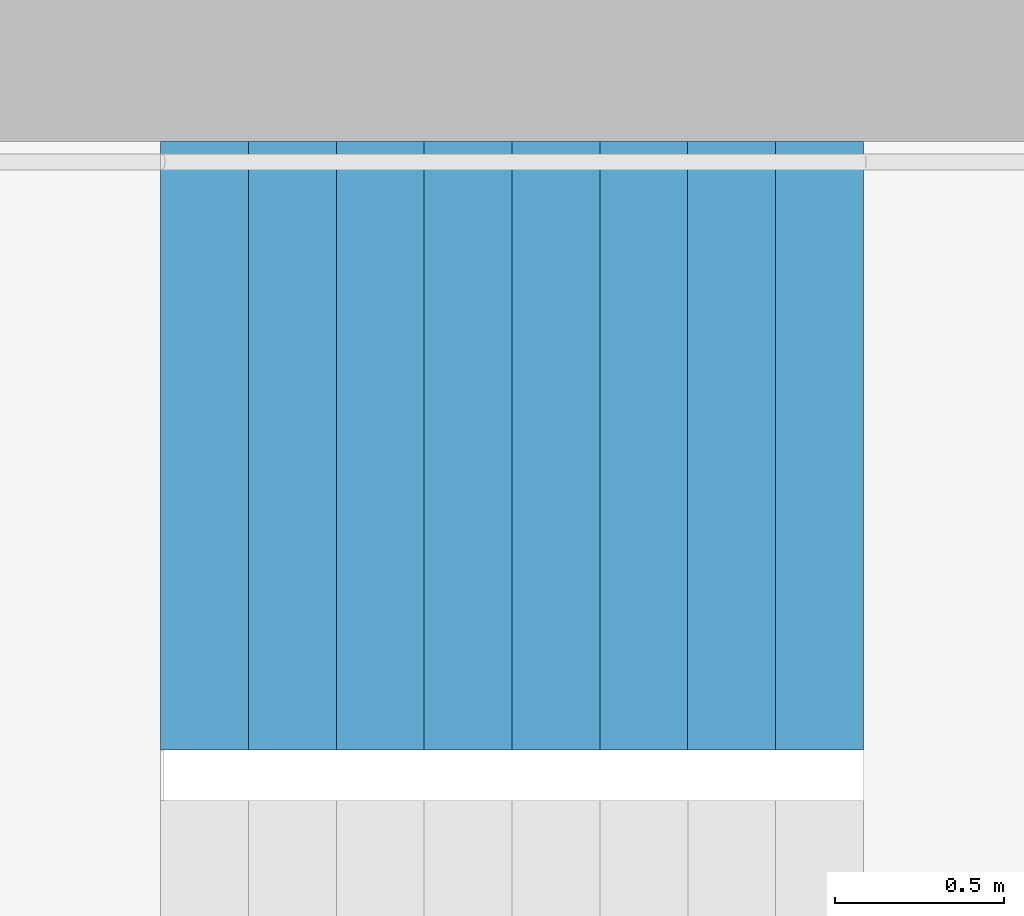
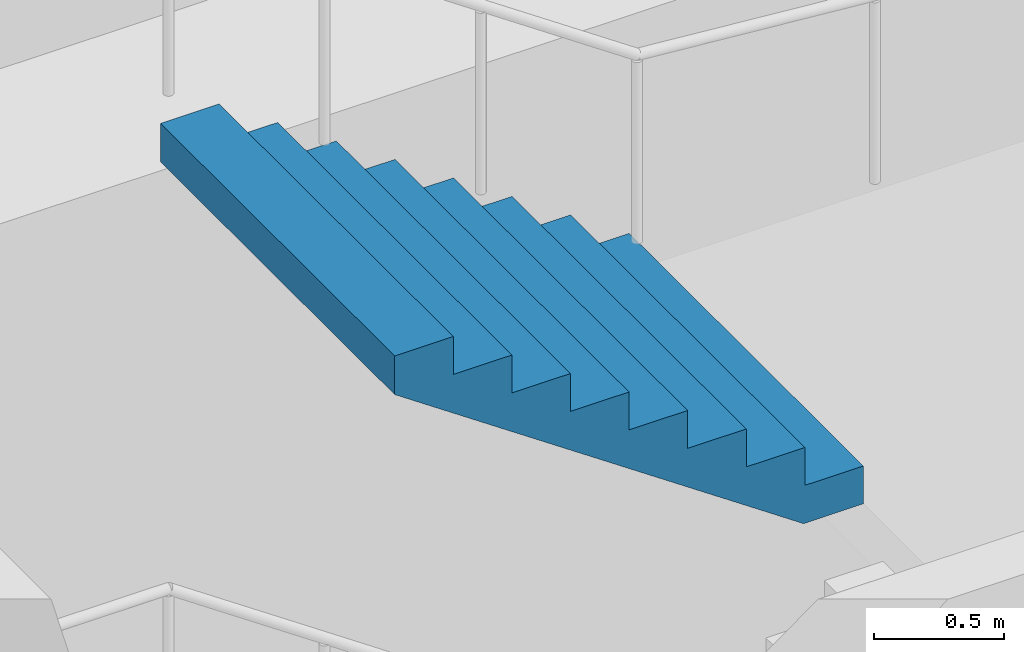
# One storey, part 24 of 44: 1 stair flight, 1 element without a shape of its own.
"""IFC4 building model written with IfcOpenShell, lengths in metres."""

import ifcopenshell
import ifcopenshell.guid

model = None  # the IFC model being written
_history = None  # IfcOwnerHistory: only IFC2X3 demands one
_inside = {}  # id of a spatial element -> (the spatial element, [elements in it])
_under = {}  # id of a project, library or spatial element -> (it, [spatial elements below it])
_declared = {}  # id of a project -> (the project, [libraries it declares])
_typed = {}  # id of a type object -> (the type object, [elements of that type])
_made_of = {}  # id of a material, layer set ... -> (it, [elements and type objects made of it])


def new_model(schema):
    """Start an empty IFC model of exactly this schema.

    Asked for "IFC4X3", IfcOpenShell would pick the latest addendum, in which some entities
    have other attributes; the version numbers below select the first issue.
    IFC2X3 requires an IfcOwnerHistory on every rooted entity: one is made here for all.
    """
    global model, _history
    if schema == "IFC4X3":
        model = ifcopenshell.file(schema_version=(4, 3, 0, 0))
    else:
        model = ifcopenshell.file(schema=schema)
    _inside.clear()
    _under.clear()
    _declared.clear()
    _typed.clear()
    _made_of.clear()
    _history = None
    if model.schema == "IFC2X3":
        org = make("IfcOrganization", Name="unknown")
        user = make(
            "IfcPersonAndOrganization",
            ThePerson=make("IfcPerson", FamilyName="unknown"),
            TheOrganization=org,
        )
        app = make(
            "IfcApplication",
            ApplicationDeveloper=org,
            Version="unknown",
            ApplicationFullName="unknown",
            ApplicationIdentifier="unknown",
        )
        _history = make(
            "IfcOwnerHistory",
            OwningUser=user,
            OwningApplication=app,
            ChangeAction="ADDED",
            CreationDate=0,
        )
    return model


def make(cls, **values):
    """One entity of the class cls with the attributes given. An attribute that is None is left unset."""
    return model.create_entity(
        cls, **{name: value for name, value in values.items() if value is not None}
    )


def rooted(cls, **values):
    """An entity with a GlobalId (a new one), such as an element, a storey or a relation."""
    return make(cls, GlobalId=ifcopenshell.guid.new(), OwnerHistory=_history, **values)


def si_unit(unit_type, name, prefix=None):
    """IfcSIUnit, for example si_unit("LENGTHUNIT", "METRE", prefix="MILLI")."""
    return make("IfcSIUnit", UnitType=unit_type, Prefix=prefix, Name=name)


def assignment(units):
    """IfcUnitAssignment: the units of a project."""
    return None if units is None else make("IfcUnitAssignment", Units=units)


def point(xyz):
    """IfcCartesianPoint."""
    return None if xyz is None else make("IfcCartesianPoint", Coordinates=xyz)


def direction(xyz):
    """IfcDirection."""
    return None if xyz is None else make("IfcDirection", DirectionRatios=xyz)


def frame(location, z_axis=None, x_axis=None):
    """IfcAxis2Placement3D, a coordinate frame: its origin and axes. An axis left out is left unset."""
    return make(
        "IfcAxis2Placement3D",
        Location=point(location),
        Axis=direction(z_axis),
        RefDirection=direction(x_axis),
    )


def origin():
    """The frame at (0, 0, 0) with its axes left unset."""
    return frame((0.0, 0.0, 0.0))


def place(relative_to, where):
    """IfcLocalPlacement: puts the frame where relative to a parent placement (None: the world)."""
    return make(
        "IfcLocalPlacement", PlacementRelTo=relative_to, RelativePlacement=where
    )


def context(
    kind, dimensions, precision=None, world=None, true_north=None, identifier=None
):
    """IfcGeometricRepresentationContext, for example the 3D "Model" context."""
    return make(
        "IfcGeometricRepresentationContext",
        ContextIdentifier=identifier,
        ContextType=kind,
        CoordinateSpaceDimension=dimensions,
        Precision=precision,
        WorldCoordinateSystem=world,
        TrueNorth=true_north,
    )


def subcontext(parent, identifier, kind, view, scale=None):
    """IfcGeometricRepresentationSubContext, for example "Body" below "Model"."""
    return make(
        "IfcGeometricRepresentationSubContext",
        ContextIdentifier=identifier,
        ContextType=kind,
        ParentContext=parent,
        TargetScale=scale,
        TargetView=view,
    )


def project(units=None, contexts=None):
    """IfcProject with its units and contexts."""
    return rooted(
        "IfcProject",
        Name="project",
        RepresentationContexts=contexts,
        UnitsInContext=assignment(units),
    )


def spatial(cls, under=None, at=None, **own):
    """A site, building, storey or space (cls), placed at a placement, below another one or the project."""
    s = rooted(cls, ObjectPlacement=at, **own)
    if under is not None:
        _under.setdefault(under.id(), (under, []))[1].append(s)
    return s


def point_list(points):
    """IfcCartesianPointList2D or 3D."""
    cls = (
        "IfcCartesianPointList2D" if len(points[0]) == 2 else "IfcCartesianPointList3D"
    )
    return make(cls, CoordList=points)


def triangles(points, corners, closed=None, point_numbers=None):
    """IfcTriangulatedFaceSet: each triangle names its three corners, points numbered from 1."""
    return make(
        "IfcTriangulatedFaceSet",
        Coordinates=point_list(points),
        Closed=closed,
        CoordIndex=corners,
        PnIndex=point_numbers,
    )


def shape(context_of_items, identifier, shape_type, items):
    """IfcShapeRepresentation: the items that make up one representation, for example the "Body"."""
    return make(
        "IfcShapeRepresentation",
        ContextOfItems=context_of_items,
        RepresentationIdentifier=identifier,
        RepresentationType=shape_type,
        Items=items,
    )


def material(Name=None, Category=None):
    """IfcMaterial."""
    return make("IfcMaterial", Name=Name, Category=Category)


def made_of(thing, what):
    """Note that an element or type object is made of a material, layer set ...; save() writes the relation."""
    if what is not None:
        _made_of.setdefault(what.id(), (what, []))[1].append(thing)
    return thing


def type_object(cls, material=None, **own):
    """A type object (cls), such as IfcWallType, which elements share."""
    return made_of(rooted(cls, **own), material)


def element(
    cls,
    number,
    at=None,
    inside=None,
    cuts=None,
    type_object=None,
    material=None,
    context=None,
    identifier="Body",
    shape_type=None,
    held_by="IfcProductDefinitionShape",
    body=None,
    shapes=None,
    **own,
):
    """One element of the class cls, such as IfcWall. Its Tag is "e" and its number.

    at: its placement. inside: the storey or other place that contains it. cuts: it is an
    opening in that element (IfcRelVoidsElement). A single representation is given by context,
    identifier, shape_type and body (its items); several are given by shapes. held_by: the class
    of the entity that holds the representations. save() writes the other relations.
    """
    e = rooted(cls, Tag="e%d" % number, ObjectPlacement=at, **own)
    if body is not None:
        shapes = [shape(context, identifier, shape_type, body)]
    if shapes is not None:
        e.Representation = make(held_by, Representations=shapes)
    if inside is not None:
        _inside.setdefault(inside.id(), (inside, []))[1].append(e)
    if cuts is not None:
        rooted(
            "IfcRelVoidsElement", RelatingBuildingElement=cuts, RelatedOpeningElement=e
        )
    if type_object is not None:
        _typed.setdefault(type_object.id(), (type_object, []))[1].append(e)
    return made_of(e, material)


def aggregate(whole, parts):
    """IfcRelAggregates: a whole, such as a stair, and the parts it consists of."""
    return rooted("IfcRelAggregates", RelatingObject=whole, RelatedObjects=parts)


def save(model, path):
    """Write the relations noted so far, then the file.

    IfcRelAggregates (storeys below a building ...), IfcRelContainedInSpatialStructure (elements
    in a storey), IfcRelDefinesByType, IfcRelAssociatesMaterial and IfcRelDeclares: one each for
    every whole, place, type object, material and project.
    """
    for whole, parts in _under.values():
        aggregate(whole, parts)
    for where, things in _inside.values():
        rooted(
            "IfcRelContainedInSpatialStructure",
            RelatedElements=things,
            RelatingStructure=where,
        )
    for kind, things in _typed.values():
        rooted("IfcRelDefinesByType", RelatedObjects=things, RelatingType=kind)
    for what, things in _made_of.values():
        rooted("IfcRelAssociatesMaterial", RelatedObjects=things, RelatingMaterial=what)
    for by, libraries in _declared.values():
        rooted("IfcRelDeclares", RelatingContext=by, RelatedDefinitions=libraries)
    model.write(path)


model = new_model("IFC4")

# Units and contexts
model_context = context("Model", 3, precision=1e-05, world=origin(), true_north=direction((0.0, 1.0)))
body_context = subcontext(model_context, "Body", "Model", "MODEL_VIEW")
ifc_project = project(units=[si_unit("LENGTHUNIT", "METRE"), si_unit("AREAUNIT", "SQUARE_METRE"), si_unit("VOLUMEUNIT", "CUBIC_METRE"), si_unit("PLANEANGLEUNIT", "RADIAN"), si_unit("MASSUNIT", "GRAM", prefix="KILO")], contexts=[model_context])

# Site, building, storey
site_placement = place(None, origin())
site = spatial("IfcSite", under=ifc_project, at=site_placement, CompositionType="ELEMENT")
building_placement = place(site_placement, origin())
building = spatial("IfcBuilding", under=site, at=building_placement, Name="Hakoniwa Tower and Hamabe Station Hall", CompositionType="ELEMENT")
storey_placement = place(building_placement, frame((0.0, 0.0, 69.0)))
storey = spatial("IfcBuildingStorey", under=building, at=storey_placement, Name="L19", CompositionType="ELEMENT", Elevation=69.0)

# Stair, stair flight
ifc_material_1 = material(Name="Concrete C40", Category="concrete")
stair_type = type_object("IfcStairType", Name="ESCAPE STAIR 1800", PredefinedType="HALF_TURN_STAIR", material=ifc_material_1)
stair_placement = place(storey_placement, origin())
stair = element("IfcStair", 1, at=stair_placement, inside=storey, type_object=stair_type, Name="Escape stair ST-1 L19", PredefinedType="HALF_TURN_STAIR")
ifc_material_2 = material(Name="Concrete C40", Category="concrete")
stair_flight_type = type_object("IfcStairFlightType", Name="STAIR FLIGHT 1800", PredefinedType="STRAIGHT", material=ifc_material_2)
stair_flight_placement = place(storey_placement, frame((-22.320068359375, 6.60009765625, 4.800048828125), z_axis=(0.0, 0.0, 1.0), x_axis=(-1.0, 0.0, 0.0)))
stair_flight = element("IfcStairFlight", 2, at=stair_flight_placement, type_object=stair_flight_type, Name="ST-1 flight 4", NumberOfRisers=9, NumberOfTreads=8, PredefinedType="STRAIGHT", RiserHeight=0.177777778, TreadLength=0.26, context=body_context, shape_type="Tessellation", body=[
    triangles([(0.0, 0.89990234375, 0.0), (0.260009765625, 0.89990234375, 0.0), (0.265625, 0.89990234375, 0.0), (0.52001953125, 0.89990234375, 0.174072265625), (0.780029296875, 0.89990234375, 0.351806640625), (1.0400390625, 0.89990234375, 0.529541015625), (1.300048828125, 0.89990234375, 0.707275390625), (1.56005859375, 0.89990234375, 0.885009765625), (1.820068359375, 0.89990234375, 1.062744140625), (2.080078125, 0.89990234375, 1.24072265625), (2.080078125, 0.89990234375, 1.422119140625), (1.820068359375, 0.89990234375, 1.422119140625), (1.820068359375, 0.89990234375, 1.244384765625), (1.56005859375, 0.89990234375, 1.244384765625), (1.56005859375, 0.89990234375, 1.066650390625), (1.300048828125, 0.89990234375, 1.066650390625), (1.300048828125, 0.89990234375, 0.888916015625), (1.0400390625, 0.89990234375, 0.888916015625), (1.0400390625, 0.89990234375, 0.711181640625), (0.780029296875, 0.89990234375, 0.711181640625), (0.780029296875, 0.89990234375, 0.533447265625), (0.52001953125, 0.89990234375, 0.533447265625), (0.52001953125, 0.89990234375, 0.35546875), (0.265625, 0.89990234375, 0.35546875), (0.260009765625, 0.89990234375, 0.35546875), (0.260009765625, 0.89990234375, 0.177734375), (0.0, 0.89990234375, 0.177734375), (0.0, 0.06005859375, 0.0), (0.260009765625, 0.06005859375, 0.0), (0.265625, 0.06005859375, 0.0), (0.52001953125, 0.06005859375, 0.174072265625), (0.780029296875, 0.06005859375, 0.351806640625), (1.0400390625, 0.06005859375, 0.529541015625), (1.300048828125, 0.06005859375, 0.707275390625), (1.56005859375, 0.06005859375, 0.885009765625), (1.820068359375, 0.06005859375, 1.062744140625), (2.080078125, 0.06005859375, 1.24072265625), (2.080078125, 0.06005859375, 1.422119140625), (1.820068359375, 0.06005859375, 1.422119140625), (1.820068359375, 0.06005859375, 1.244384765625), (1.56005859375, 0.06005859375, 1.244384765625), (1.56005859375, 0.06005859375, 1.066650390625), (1.300048828125, 0.06005859375, 1.066650390625), (1.300048828125, 0.06005859375, 0.888916015625), (1.0400390625, 0.06005859375, 0.888916015625), (1.0400390625, 0.06005859375, 0.711181640625), (0.780029296875, 0.06005859375, 0.711181640625), (0.780029296875, 0.06005859375, 0.533447265625), (0.52001953125, 0.06005859375, 0.533447265625), (0.52001953125, 0.06005859375, 0.35546875), (0.265625, 0.06005859375, 0.35546875), (0.260009765625, 0.06005859375, 0.35546875), (0.260009765625, 0.06005859375, 0.177734375), (0.0, 0.06005859375, 0.177734375), (0.0, 0.04296875, 0.0), (0.260009765625, 0.04296875, 0.0), (0.265625, 0.04296875, 0.0), (0.52001953125, 0.04296875, 0.174072265625), (0.780029296875, 0.04296875, 0.351806640625), (1.0400390625, 0.04296875, 0.529541015625), (1.300048828125, 0.04296875, 0.707275390625), (1.56005859375, 0.04296875, 0.885009765625), (1.820068359375, 0.04296875, 1.062744140625), (2.080078125, 0.04296875, 1.24072265625), (2.080078125, 0.04296875, 1.422119140625), (1.820068359375, 0.04296875, 1.422119140625), (1.820068359375, 0.04296875, 1.244384765625), (1.56005859375, 0.04296875, 1.244384765625), (1.56005859375, 0.04296875, 1.066650390625), (1.300048828125, 0.04296875, 1.066650390625), (1.300048828125, 0.04296875, 0.888916015625), (1.0400390625, 0.04296875, 0.888916015625), (1.0400390625, 0.04296875, 0.711181640625), (0.780029296875, 0.04296875, 0.711181640625), (0.780029296875, 0.04296875, 0.533447265625), (0.52001953125, 0.04296875, 0.533447265625), (0.52001953125, 0.04296875, 0.35546875), (0.265625, 0.04296875, 0.35546875), (0.260009765625, 0.04296875, 0.35546875), (0.260009765625, 0.04296875, 0.177734375), (0.0, 0.04296875, 0.177734375), (0.0, 0.025634765625, 0.0), (0.260009765625, 0.025634765625, 0.0), (0.265625, 0.025634765625, 0.0), (0.52001953125, 0.025634765625, 0.174072265625), (0.780029296875, 0.025634765625, 0.351806640625), (1.0400390625, 0.025634765625, 0.529541015625), (1.300048828125, 0.025634765625, 0.707275390625), (1.56005859375, 0.025634765625, 0.885009765625), (1.820068359375, 0.025634765625, 1.062744140625), (2.080078125, 0.025634765625, 1.24072265625), (2.080078125, 0.025634765625, 1.422119140625), (1.820068359375, 0.025634765625, 1.422119140625), (1.820068359375, 0.025634765625, 1.244384765625), (1.56005859375, 0.025634765625, 1.244384765625), (1.56005859375, 0.025634765625, 1.066650390625), (1.300048828125, 0.025634765625, 1.066650390625), (1.300048828125, 0.025634765625, 0.888916015625), (1.0400390625, 0.025634765625, 0.888916015625), (1.0400390625, 0.025634765625, 0.711181640625), (0.780029296875, 0.025634765625, 0.711181640625), (0.780029296875, 0.025634765625, 0.533447265625), (0.52001953125, 0.025634765625, 0.533447265625), (0.52001953125, 0.025634765625, 0.35546875), (0.265625, 0.025634765625, 0.35546875), (0.260009765625, 0.025634765625, 0.35546875), (0.260009765625, 0.025634765625, 0.177734375), (0.0, 0.025634765625, 0.177734375), (0.0, 0.008544921875, 0.0), (0.260009765625, 0.008544921875, 0.0), (0.265625, 0.008544921875, 0.0), (0.52001953125, 0.008544921875, 0.174072265625), (0.780029296875, 0.008544921875, 0.351806640625), (1.0400390625, 0.008544921875, 0.529541015625), (1.300048828125, 0.008544921875, 0.707275390625), (1.56005859375, 0.008544921875, 0.885009765625), (1.820068359375, 0.008544921875, 1.062744140625), (2.080078125, 0.008544921875, 1.24072265625), (2.080078125, 0.008544921875, 1.422119140625), (1.820068359375, 0.008544921875, 1.422119140625), (1.820068359375, 0.008544921875, 1.244384765625), (1.56005859375, 0.008544921875, 1.244384765625), (1.56005859375, 0.008544921875, 1.066650390625), (1.300048828125, 0.008544921875, 1.066650390625), (1.300048828125, 0.008544921875, 0.888916015625), (1.0400390625, 0.008544921875, 0.888916015625), (1.0400390625, 0.008544921875, 0.711181640625), (0.780029296875, 0.008544921875, 0.711181640625), (0.780029296875, 0.008544921875, 0.533447265625), (0.52001953125, 0.008544921875, 0.533447265625), (0.52001953125, 0.008544921875, 0.35546875), (0.265625, 0.008544921875, 0.35546875), (0.260009765625, 0.008544921875, 0.35546875), (0.260009765625, 0.008544921875, 0.177734375), (0.0, 0.008544921875, 0.177734375), (0.0, -0.008544921875, 0.0), (0.260009765625, -0.008544921875, 0.0), (0.265625, -0.008544921875, 0.0), (0.52001953125, -0.008544921875, 0.174072265625), (0.780029296875, -0.008544921875, 0.351806640625), (1.0400390625, -0.008544921875, 0.529541015625), (1.300048828125, -0.008544921875, 0.707275390625), (1.56005859375, -0.008544921875, 0.885009765625), (1.820068359375, -0.008544921875, 1.062744140625), (2.080078125, -0.008544921875, 1.24072265625), (2.080078125, -0.008544921875, 1.422119140625), (1.820068359375, -0.008544921875, 1.422119140625), (1.820068359375, -0.008544921875, 1.244384765625), (1.56005859375, -0.008544921875, 1.244384765625), (1.56005859375, -0.008544921875, 1.066650390625), (1.300048828125, -0.008544921875, 1.066650390625), (1.300048828125, -0.008544921875, 0.888916015625), (1.0400390625, -0.008544921875, 0.888916015625), (1.0400390625, -0.008544921875, 0.711181640625), (0.780029296875, -0.008544921875, 0.711181640625), (0.780029296875, -0.008544921875, 0.533447265625), (0.52001953125, -0.008544921875, 0.533447265625), (0.52001953125, -0.008544921875, 0.35546875), (0.265625, -0.008544921875, 0.35546875), (0.260009765625, -0.008544921875, 0.35546875), (0.260009765625, -0.008544921875, 0.177734375), (0.0, -0.008544921875, 0.177734375), (0.0, -0.025634765625, 0.0), (0.260009765625, -0.025634765625, 0.0), (0.265625, -0.025634765625, 0.0), (0.52001953125, -0.025634765625, 0.174072265625), (0.780029296875, -0.025634765625, 0.351806640625), (1.0400390625, -0.025634765625, 0.529541015625), (1.300048828125, -0.025634765625, 0.707275390625), (1.56005859375, -0.025634765625, 0.885009765625), (1.820068359375, -0.025634765625, 1.062744140625), (2.080078125, -0.025634765625, 1.24072265625), (2.080078125, -0.025634765625, 1.422119140625), (1.820068359375, -0.025634765625, 1.422119140625), (1.820068359375, -0.025634765625, 1.244384765625), (1.56005859375, -0.025634765625, 1.244384765625), (1.56005859375, -0.025634765625, 1.066650390625), (1.300048828125, -0.025634765625, 1.066650390625), (1.300048828125, -0.025634765625, 0.888916015625), (1.0400390625, -0.025634765625, 0.888916015625), (1.0400390625, -0.025634765625, 0.711181640625), (0.780029296875, -0.025634765625, 0.711181640625), (0.780029296875, -0.025634765625, 0.533447265625), (0.52001953125, -0.025634765625, 0.533447265625), (0.52001953125, -0.025634765625, 0.35546875), (0.265625, -0.025634765625, 0.35546875), (0.260009765625, -0.025634765625, 0.35546875), (0.260009765625, -0.025634765625, 0.177734375), (0.0, -0.025634765625, 0.177734375), (0.0, -0.04296875, 0.0), (0.260009765625, -0.04296875, 0.0), (0.265625, -0.04296875, 0.0), (0.52001953125, -0.04296875, 0.174072265625), (0.780029296875, -0.04296875, 0.351806640625), (1.0400390625, -0.04296875, 0.529541015625), (1.300048828125, -0.04296875, 0.707275390625), (1.56005859375, -0.04296875, 0.885009765625), (1.820068359375, -0.04296875, 1.062744140625), (2.080078125, -0.04296875, 1.24072265625), (2.080078125, -0.04296875, 1.422119140625), (1.820068359375, -0.04296875, 1.422119140625), (1.820068359375, -0.04296875, 1.244384765625), (1.56005859375, -0.04296875, 1.244384765625), (1.56005859375, -0.04296875, 1.066650390625), (1.300048828125, -0.04296875, 1.066650390625), (1.300048828125, -0.04296875, 0.888916015625), (1.0400390625, -0.04296875, 0.888916015625), (1.0400390625, -0.04296875, 0.711181640625), (0.780029296875, -0.04296875, 0.711181640625), (0.780029296875, -0.04296875, 0.533447265625), (0.52001953125, -0.04296875, 0.533447265625), (0.52001953125, -0.04296875, 0.35546875), (0.265625, -0.04296875, 0.35546875), (0.260009765625, -0.04296875, 0.35546875), (0.260009765625, -0.04296875, 0.177734375), (0.0, -0.04296875, 0.177734375), (0.0, -0.06005859375, 0.0), (0.260009765625, -0.06005859375, 0.0), (0.265625, -0.06005859375, 0.0), (0.52001953125, -0.06005859375, 0.174072265625), (0.780029296875, -0.06005859375, 0.351806640625), (1.0400390625, -0.06005859375, 0.529541015625), (1.300048828125, -0.06005859375, 0.707275390625), (1.56005859375, -0.06005859375, 0.885009765625), (1.820068359375, -0.06005859375, 1.062744140625), (2.080078125, -0.06005859375, 1.24072265625), (2.080078125, -0.06005859375, 1.422119140625), (1.820068359375, -0.06005859375, 1.422119140625), (1.820068359375, -0.06005859375, 1.244384765625), (1.56005859375, -0.06005859375, 1.244384765625), (1.56005859375, -0.06005859375, 1.066650390625), (1.300048828125, -0.06005859375, 1.066650390625), (1.300048828125, -0.06005859375, 0.888916015625), (1.0400390625, -0.06005859375, 0.888916015625), (1.0400390625, -0.06005859375, 0.711181640625), (0.780029296875, -0.06005859375, 0.711181640625), (0.780029296875, -0.06005859375, 0.533447265625), (0.52001953125, -0.06005859375, 0.533447265625), (0.52001953125, -0.06005859375, 0.35546875), (0.265625, -0.06005859375, 0.35546875), (0.260009765625, -0.06005859375, 0.35546875), (0.260009765625, -0.06005859375, 0.177734375), (0.0, -0.06005859375, 0.177734375), (0.0, -0.89990234375, 0.0), (0.260009765625, -0.89990234375, 0.0), (0.265625, -0.89990234375, 0.0), (0.52001953125, -0.89990234375, 0.174072265625), (0.780029296875, -0.89990234375, 0.351806640625), (1.0400390625, -0.89990234375, 0.529541015625), (1.300048828125, -0.89990234375, 0.707275390625), (1.56005859375, -0.89990234375, 0.885009765625), (1.820068359375, -0.89990234375, 1.062744140625), (2.080078125, -0.89990234375, 1.24072265625), (2.080078125, -0.89990234375, 1.422119140625), (1.820068359375, -0.89990234375, 1.422119140625), (1.820068359375, -0.89990234375, 1.244384765625), (1.56005859375, -0.89990234375, 1.244384765625), (1.56005859375, -0.89990234375, 1.066650390625), (1.300048828125, -0.89990234375, 1.066650390625), (1.300048828125, -0.89990234375, 0.888916015625), (1.0400390625, -0.89990234375, 0.888916015625), (1.0400390625, -0.89990234375, 0.711181640625), (0.780029296875, -0.89990234375, 0.711181640625), (0.780029296875, -0.89990234375, 0.533447265625), (0.52001953125, -0.89990234375, 0.533447265625), (0.52001953125, -0.89990234375, 0.35546875), (0.265625, -0.89990234375, 0.35546875), (0.260009765625, -0.89990234375, 0.35546875), (0.260009765625, -0.89990234375, 0.177734375), (0.0, -0.89990234375, 0.177734375)], [[2, 27, 26], [245, 269, 270], [2, 1, 27], [245, 270, 244], [3, 25, 24], [246, 267, 268], [3, 26, 25], [246, 268, 269], [3, 2, 26], [246, 269, 245], [4, 24, 23], [247, 266, 267], [4, 3, 24], [247, 267, 246], [5, 22, 21], [248, 264, 265], [5, 23, 22], [248, 265, 266], [5, 4, 23], [248, 266, 247], [6, 20, 19], [249, 262, 263], [6, 21, 20], [249, 263, 264], [6, 5, 21], [249, 264, 248], [7, 18, 17], [250, 260, 261], [7, 19, 18], [250, 261, 262], [7, 6, 19], [250, 262, 249], [8, 16, 15], [251, 258, 259], [8, 17, 16], [251, 259, 260], [8, 7, 17], [251, 260, 250], [9, 14, 13], [252, 256, 257], [9, 15, 14], [252, 257, 258], [9, 8, 15], [252, 258, 251], [10, 12, 11], [253, 254, 255], [10, 13, 12], [253, 255, 256], [10, 9, 13], [253, 256, 252], [1, 2, 29], [1, 29, 28], [28, 29, 56], [28, 56, 55], [55, 56, 83], [55, 83, 82], [82, 83, 110], [82, 110, 109], [109, 110, 137], [109, 137, 136], [136, 137, 164], [136, 164, 163], [163, 164, 191], [163, 191, 190], [190, 191, 218], [190, 218, 217], [217, 218, 245], [217, 245, 244], [2, 3, 30], [2, 30, 29], [29, 30, 57], [29, 57, 56], [56, 57, 84], [56, 84, 83], [83, 84, 111], [83, 111, 110], [110, 111, 138], [110, 138, 137], [137, 138, 165], [137, 165, 164], [164, 165, 192], [164, 192, 191], [191, 192, 219], [191, 219, 218], [218, 219, 246], [218, 246, 245], [3, 4, 31], [3, 31, 30], [30, 31, 58], [30, 58, 57], [57, 58, 85], [57, 85, 84], [84, 85, 112], [84, 112, 111], [111, 112, 139], [111, 139, 138], [138, 139, 166], [138, 166, 165], [165, 166, 193], [165, 193, 192], [192, 193, 220], [192, 220, 219], [219, 220, 247], [219, 247, 246], [4, 5, 32], [4, 32, 31], [31, 32, 59], [31, 59, 58], [58, 59, 86], [58, 86, 85], [85, 86, 113], [85, 113, 112], [112, 113, 140], [112, 140, 139], [139, 140, 167], [139, 167, 166], [166, 167, 194], [166, 194, 193], [193, 194, 221], [193, 221, 220], [220, 221, 248], [220, 248, 247], [5, 6, 33], [5, 33, 32], [32, 33, 60], [32, 60, 59], [59, 60, 87], [59, 87, 86], [86, 87, 114], [86, 114, 113], [113, 114, 141], [113, 141, 140], [140, 141, 168], [140, 168, 167], [167, 168, 195], [167, 195, 194], [194, 195, 222], [194, 222, 221], [221, 222, 249], [221, 249, 248], [6, 7, 34], [6, 34, 33], [33, 34, 61], [33, 61, 60], [60, 61, 88], [60, 88, 87], [87, 88, 115], [87, 115, 114], [114, 115, 142], [114, 142, 141], [141, 142, 169], [141, 169, 168], [168, 169, 196], [168, 196, 195], [195, 196, 223], [195, 223, 222], [222, 223, 250], [222, 250, 249], [7, 8, 35], [7, 35, 34], [34, 35, 62], [34, 62, 61], [61, 62, 89], [61, 89, 88], [88, 89, 116], [88, 116, 115], [115, 116, 143], [115, 143, 142], [142, 143, 170], [142, 170, 169], [169, 170, 197], [169, 197, 196], [196, 197, 224], [196, 224, 223], [223, 224, 251], [223, 251, 250], [8, 9, 36], [8, 36, 35], [35, 36, 63], [35, 63, 62], [62, 63, 90], [62, 90, 89], [89, 90, 117], [89, 117, 116], [116, 117, 144], [116, 144, 143], [143, 144, 171], [143, 171, 170], [170, 171, 198], [170, 198, 197], [197, 198, 225], [197, 225, 224], [224, 225, 252], [224, 252, 251], [9, 10, 37], [9, 37, 36], [36, 37, 64], [36, 64, 63], [63, 64, 91], [63, 91, 90], [90, 91, 118], [90, 118, 117], [117, 118, 145], [117, 145, 144], [144, 145, 172], [144, 172, 171], [171, 172, 199], [171, 199, 198], [198, 199, 226], [198, 226, 225], [225, 226, 253], [225, 253, 252], [10, 11, 38], [10, 38, 37], [37, 38, 65], [37, 65, 64], [64, 65, 92], [64, 92, 91], [91, 92, 119], [91, 119, 118], [118, 119, 146], [118, 146, 145], [145, 146, 173], [145, 173, 172], [172, 173, 200], [172, 200, 199], [199, 200, 227], [199, 227, 226], [226, 227, 254], [226, 254, 253], [11, 12, 39], [11, 39, 38], [38, 39, 66], [38, 66, 65], [65, 66, 93], [65, 93, 92], [92, 93, 120], [92, 120, 119], [119, 120, 147], [119, 147, 146], [146, 147, 174], [146, 174, 173], [173, 174, 201], [173, 201, 200], [200, 201, 228], [200, 228, 227], [227, 228, 255], [227, 255, 254], [12, 13, 40], [12, 40, 39], [39, 40, 67], [39, 67, 66], [66, 67, 94], [66, 94, 93], [93, 94, 121], [93, 121, 120], [120, 121, 148], [120, 148, 147], [147, 148, 175], [147, 175, 174], [174, 175, 202], [174, 202, 201], [201, 202, 229], [201, 229, 228], [228, 229, 256], [228, 256, 255], [13, 14, 41], [13, 41, 40], [40, 41, 68], [40, 68, 67], [67, 68, 95], [67, 95, 94], [94, 95, 122], [94, 122, 121], [121, 122, 149], [121, 149, 148], [148, 149, 176], [148, 176, 175], [175, 176, 203], [175, 203, 202], [202, 203, 230], [202, 230, 229], [229, 230, 257], [229, 257, 256], [14, 15, 42], [14, 42, 41], [41, 42, 69], [41, 69, 68], [68, 69, 96], [68, 96, 95], [95, 96, 123], [95, 123, 122], [122, 123, 150], [122, 150, 149], [149, 150, 177], [149, 177, 176], [176, 177, 204], [176, 204, 203], [203, 204, 231], [203, 231, 230], [230, 231, 258], [230, 258, 257], [15, 16, 43], [15, 43, 42], [42, 43, 70], [42, 70, 69], [69, 70, 97], [69, 97, 96], [96, 97, 124], [96, 124, 123], [123, 124, 151], [123, 151, 150], [150, 151, 178], [150, 178, 177], [177, 178, 205], [177, 205, 204], [204, 205, 232], [204, 232, 231], [231, 232, 259], [231, 259, 258], [16, 17, 44], [16, 44, 43], [43, 44, 71], [43, 71, 70], [70, 71, 98], [70, 98, 97], [97, 98, 125], [97, 125, 124], [124, 125, 152], [124, 152, 151], [151, 152, 179], [151, 179, 178], [178, 179, 206], [178, 206, 205], [205, 206, 233], [205, 233, 232], [232, 233, 260], [232, 260, 259], [17, 18, 45], [17, 45, 44], [44, 45, 72], [44, 72, 71], [71, 72, 99], [71, 99, 98], [98, 99, 126], [98, 126, 125], [125, 126, 153], [125, 153, 152], [152, 153, 180], [152, 180, 179], [179, 180, 207], [179, 207, 206], [206, 207, 234], [206, 234, 233], [233, 234, 261], [233, 261, 260], [18, 19, 46], [18, 46, 45], [45, 46, 73], [45, 73, 72], [72, 73, 100], [72, 100, 99], [99, 100, 127], [99, 127, 126], [126, 127, 154], [126, 154, 153], [153, 154, 181], [153, 181, 180], [180, 181, 208], [180, 208, 207], [207, 208, 235], [207, 235, 234], [234, 235, 262], [234, 262, 261], [19, 20, 47], [19, 47, 46], [46, 47, 74], [46, 74, 73], [73, 74, 101], [73, 101, 100], [100, 101, 128], [100, 128, 127], [127, 128, 155], [127, 155, 154], [154, 155, 182], [154, 182, 181], [181, 182, 209], [181, 209, 208], [208, 209, 236], [208, 236, 235], [235, 236, 263], [235, 263, 262], [20, 21, 48], [20, 48, 47], [47, 48, 75], [47, 75, 74], [74, 75, 102], [74, 102, 101], [101, 102, 129], [101, 129, 128], [128, 129, 156], [128, 156, 155], [155, 156, 183], [155, 183, 182], [182, 183, 210], [182, 210, 209], [209, 210, 237], [209, 237, 236], [236, 237, 264], [236, 264, 263], [21, 22, 49], [21, 49, 48], [48, 49, 76], [48, 76, 75], [75, 76, 103], [75, 103, 102], [102, 103, 130], [102, 130, 129], [129, 130, 157], [129, 157, 156], [156, 157, 184], [156, 184, 183], [183, 184, 211], [183, 211, 210], [210, 211, 238], [210, 238, 237], [237, 238, 265], [237, 265, 264], [22, 23, 50], [22, 50, 49], [49, 50, 77], [49, 77, 76], [76, 77, 104], [76, 104, 103], [103, 104, 131], [103, 131, 130], [130, 131, 158], [130, 158, 157], [157, 158, 185], [157, 185, 184], [184, 185, 212], [184, 212, 211], [211, 212, 239], [211, 239, 238], [238, 239, 266], [238, 266, 265], [23, 24, 51], [23, 51, 50], [50, 51, 78], [50, 78, 77], [77, 78, 105], [77, 105, 104], [104, 105, 132], [104, 132, 131], [131, 132, 159], [131, 159, 158], [158, 159, 186], [158, 186, 185], [185, 186, 213], [185, 213, 212], [212, 213, 240], [212, 240, 239], [239, 240, 267], [239, 267, 266], [24, 25, 52], [24, 52, 51], [51, 52, 79], [51, 79, 78], [78, 79, 106], [78, 106, 105], [105, 106, 133], [105, 133, 132], [132, 133, 160], [132, 160, 159], [159, 160, 187], [159, 187, 186], [186, 187, 214], [186, 214, 213], [213, 214, 241], [213, 241, 240], [240, 241, 268], [240, 268, 267], [25, 26, 53], [25, 53, 52], [52, 53, 80], [52, 80, 79], [79, 80, 107], [79, 107, 106], [106, 107, 134], [106, 134, 133], [133, 134, 161], [133, 161, 160], [160, 161, 188], [160, 188, 187], [187, 188, 215], [187, 215, 214], [214, 215, 242], [214, 242, 241], [241, 242, 269], [241, 269, 268], [26, 27, 54], [26, 54, 53], [53, 54, 81], [53, 81, 80], [80, 81, 108], [80, 108, 107], [107, 108, 135], [107, 135, 134], [134, 135, 162], [134, 162, 161], [161, 162, 189], [161, 189, 188], [188, 189, 216], [188, 216, 215], [215, 216, 243], [215, 243, 242], [242, 243, 270], [242, 270, 269], [27, 1, 28], [27, 28, 54], [54, 28, 55], [54, 55, 81], [81, 55, 82], [81, 82, 108], [108, 82, 109], [108, 109, 135], [135, 109, 136], [135, 136, 162], [162, 136, 163], [162, 163, 189], [189, 163, 190], [189, 190, 216], [216, 190, 217], [216, 217, 243], [243, 217, 244], [243, 244, 270]], closed=True),
])
aggregate(stair, [stair_flight])

save(model, "model.ifc")
